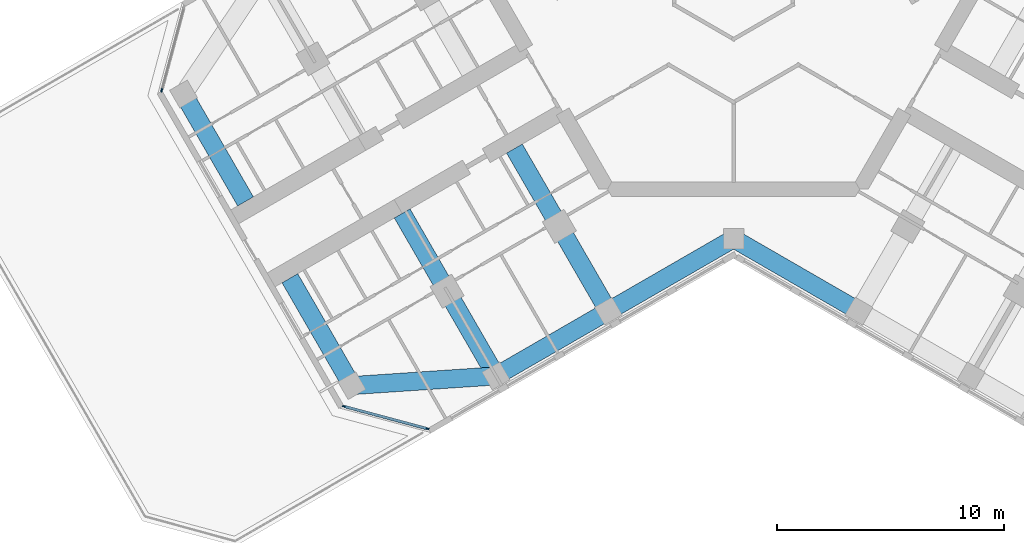
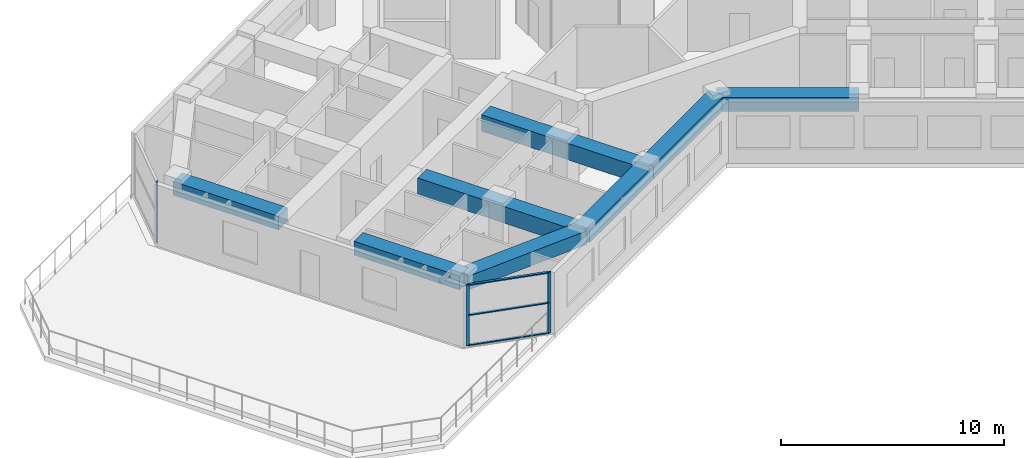
# One storey, part 2 of 17: 8 beams, 6 members, 2 elements without a shape of their own.
"""IFC4 building model written with IfcOpenShell, lengths in metres."""

from ifc_helpers import new_model, si_unit, direction, frame, origin, origin_2d, place, context, subcontext, project, spatial, rectangle, extrude, material, material_profile, profile_set, type_object, element, aggregate, save


model = new_model("IFC4")

# Units and contexts
model_context = context("Model", 3, precision=1e-05, world=origin(), true_north=direction((0.0, 1.0)))
body_context = subcontext(model_context, "Body", "Model", "MODEL_VIEW")
ifc_project = project(units=[si_unit("LENGTHUNIT", "METRE"), si_unit("AREAUNIT", "SQUARE_METRE"), si_unit("VOLUMEUNIT", "CUBIC_METRE"), si_unit("PLANEANGLEUNIT", "RADIAN"), si_unit("MASSUNIT", "GRAM", prefix="KILO")], contexts=[model_context])

# Site, building, storey
site_placement = place(None, origin())
site = spatial("IfcSite", under=ifc_project, at=site_placement, CompositionType="ELEMENT")
building_placement = place(site_placement, origin())
building = spatial("IfcBuilding", under=site, at=building_placement, Name="Kosmar Iwan School Tower", CompositionType="ELEMENT")
storey_placement = place(building_placement, frame((0.0, 0.0, 193.800048828125)))
storey = spatial("IfcBuildingStorey", under=building, at=storey_placement, Name="L48", CompositionType="ELEMENT", Elevation=193.800048828125)

# Curtain wall, member
ifc_material_1 = material(Name="Dark glass in black aluminium frame", Category="aluminium")
curtain_wall_type = type_object("IfcCurtainWallType", Name="Chamfer curtain wall dark glass", PredefinedType="USERDEFINED", material=ifc_material_1)
curtain_wall_1_placement = place(storey_placement, origin())
curtain_wall_1 = element("IfcCurtainWall", 1, at=curtain_wall_1_placement, inside=storey, type_object=curtain_wall_type, Name="Curtain wall L48-F10", ObjectType="FACETED CURTAIN WALL", PredefinedType="USERDEFINED")
ifc_material_2 = material(Name="Black anodised aluminium", Category="aluminium")
ifc_material_profile_1 = material_profile(ifc_material_2, rectangle(XDim=0.06005859375, YDim=0.159912109375, at=origin_2d()), Name="MULLION 60x160")
ifc_profile_set_1 = profile_set([ifc_material_profile_1], Name="Black anodised aluminium")
member_type_1 = type_object("IfcMemberType", Name="Mullion 60x160", PredefinedType="MULLION", material=ifc_profile_set_1)
member_1_placement = place(storey_placement, frame((-25.141845703125, -5.24853515625, 0.0), z_axis=(0.0, 0.0, 1.0), x_axis=(0.965925875495, -0.258818861462, 0.0)))
member_1 = element("IfcMember", 2, at=member_1_placement, type_object=member_type_1, Name="CW2 mullion 2", PredefinedType="MULLION", context=body_context, shape_type="SweptSolid", body=[
    extrude(rectangle(XDim=0.06005859375, YDim=0.159912109375, at=origin_2d()), origin(), (0.0, 0.0, 1.0), 3.349853515625),
])
aggregate(curtain_wall_1, [member_1])

# Curtain wall, members
curtain_wall_2_placement = place(storey_placement, origin())
curtain_wall_2 = element("IfcCurtainWall", 3, at=curtain_wall_2_placement, inside=storey, type_object=curtain_wall_type, Name="Curtain wall L48-F12", ObjectType="FACETED CURTAIN WALL", PredefinedType="USERDEFINED")
member_2_placement = place(storey_placement, frame((-17.1162109375, -19.149169921875, 0.0), z_axis=(0.0, 0.0, 1.0), x_axis=(0.258818861462, 0.965925875495, 0.0)))
member_2 = element("IfcMember", 4, at=member_2_placement, type_object=member_type_1, Name="CW2 mullion 1", PredefinedType="MULLION", context=body_context, shape_type="SweptSolid", body=[
    extrude(rectangle(XDim=0.06005859375, YDim=0.159912109375, at=origin_2d()), origin(), (0.0, 0.0, 1.0), 3.349853515625),
])
member_3_placement = place(storey_placement, frame((-13.466064453125, -20.127197265625, 0.0), z_axis=(0.0, 0.0, 1.0), x_axis=(0.258818861462, 0.965925875495, 0.0)))
member_3 = element("IfcMember", 5, at=member_3_placement, type_object=member_type_1, Name="CW2 mullion 2", PredefinedType="MULLION", context=body_context, shape_type="SweptSolid", body=[
    extrude(rectangle(XDim=0.06005859375, YDim=0.159912109375, at=origin_2d()), origin(), (0.0, 0.0, 1.0), 3.349853515625),
])

# Beams
ifc_material_3 = material(Name="Concrete C50/60", Category="concrete")
ifc_material_profile_2 = material_profile(ifc_material_3, rectangle(XDim=0.800048828125, YDim=0.75, at=origin_2d()), Name="RC 800x750")
ifc_profile_set_2 = profile_set([ifc_material_profile_2], Name="Concrete C50/60")
beam_type_1 = type_object("IfcBeamType", Name="RC edge beam 800x750", PredefinedType="BEAM", material=ifc_profile_set_2)
beam_1_placement = place(storey_placement, frame((0.0, -11.77783203125, 2.974853515625), z_axis=(-0.866014293216, -0.500019243575, 0.0), x_axis=(0.500019243575, -0.866014293216, 0.0)))
element("IfcBeam", 6, at=beam_1_placement, inside=storey, type_object=beam_type_1, Name="Edge beam BL1", PredefinedType="BEAM", context=body_context, shape_type="SweptSolid", body=[
    extrude(rectangle(XDim=0.800048828125, YDim=0.75, at=origin_2d()), origin(), (0.0, 0.0, 1.0), 6.361083984375),
])
beam_2_placement = place(storey_placement, frame((-5.5087890625, -14.95849609375, 2.974853515625), z_axis=(-0.866033658841, -0.49998570155, 0.0), x_axis=(0.49998570155, -0.866033658841, 0.0)))
element("IfcBeam", 7, at=beam_2_placement, inside=storey, type_object=beam_type_1, Name="Edge beam BL2", PredefinedType="BEAM", context=body_context, shape_type="SweptSolid", body=[
    extrude(rectangle(XDim=0.800048828125, YDim=0.75, at=origin_2d()), origin(), (0.0, 0.0, 1.0), 5.699951171875),
])
beam_3_placement = place(storey_placement, frame((0.0, -11.77783203125, 2.974853515625), z_axis=(0.866014293216, -0.500019243575, 0.0), x_axis=(0.500019243575, 0.866014293216, 0.0)))
element("IfcBeam", 8, at=beam_3_placement, inside=storey, type_object=beam_type_1, Name="Edge beam CR1", PredefinedType="BEAM", context=body_context, shape_type="SweptSolid", body=[
    extrude(rectangle(XDim=0.800048828125, YDim=0.75, at=origin_2d()), origin(), (0.0, 0.0, 1.0), 6.361083984375),
])
ifc_material_4 = material(Name="Concrete C50/60", Category="concrete")
ifc_material_profile_3 = material_profile(ifc_material_4, rectangle(XDim=0.800048828125, YDim=0.75, at=origin_2d()), Name="RC 800x750")
ifc_profile_set_3 = profile_set([ifc_material_profile_3], Name="Concrete C50/60")
beam_type_2 = type_object("IfcBeamType", Name="RC tip beam 800x750", PredefinedType="BEAM", material=ifc_profile_set_3)
beam_4_placement = place(storey_placement, frame((-10.445068359375, -17.808349609375, 2.974853515625), z_axis=(-0.997755118724, -0.066968074933, 0.0), x_axis=(0.066968074933, -0.997755118724, 0.0)))
element("IfcBeam", 9, at=beam_4_placement, inside=storey, type_object=beam_type_2, Name="Tip beam BL", PredefinedType="BEAM", context=body_context, shape_type="SweptSolid", body=[
    extrude(rectangle(XDim=0.800048828125, YDim=0.75, at=origin_2d()), origin(), (0.0, 0.0, 1.0), 6.3505859375),
])
beam_5_placement = place(storey_placement, frame((-16.781494140625, -18.233642578125, 2.974853515625), z_axis=(-0.500002931134, 0.866023711487, 0.0), x_axis=(-0.866023711487, -0.500002931134, 0.0)))
element("IfcBeam", 10, at=beam_5_placement, inside=storey, type_object=beam_type_2, Name="Tip beam BL to corridor wall", PredefinedType="BEAM", context=body_context, shape_type="SweptSolid", body=[
    extrude(rectangle(XDim=0.800048828125, YDim=0.75, at=origin_2d()), origin(), (0.0, 0.0, 1.0), 5.4501953125),
])
beam_6_placement = place(storey_placement, frame((-24.181396484375, -5.41650390625, 2.974853515625), z_axis=(0.499988730927, -0.866031909889, 0.0), x_axis=(0.866031909889, 0.499988730927, 0.0)))
element("IfcBeam", 11, at=beam_6_placement, inside=storey, type_object=beam_type_2, Name="Tip beam BR to corridor wall", PredefinedType="BEAM", context=body_context, shape_type="SweptSolid", body=[
    extrude(rectangle(XDim=0.800048828125, YDim=0.75, at=origin_2d()), origin(), (0.0, 0.0, 1.0), 5.449951171875),
])
ifc_material_5 = material(Name="Concrete C50/60", Category="concrete")
ifc_material_profile_4 = material_profile(ifc_material_5, rectangle(XDim=0.800048828125, YDim=0.89990234375, at=origin_2d()), Name="RC 800x900")
ifc_profile_set_4 = profile_set([ifc_material_profile_4], Name="Concrete C50/60")
beam_type_3 = type_object("IfcBeamType", Name="RC transverse beam 800x900", PredefinedType="BEAM", material=ifc_profile_set_4)
beam_7_placement = place(storey_placement, frame((-5.5087890625, -14.95849609375, 2.89990234375), z_axis=(-0.499996545922, 0.866027397988, 0.0), x_axis=(-0.866027397988, -0.499996545922, 0.0)))
element("IfcBeam", 12, at=beam_7_placement, inside=storey, type_object=beam_type_3, Name="Transverse beam BL1", PredefinedType="BEAM", context=body_context, shape_type="SweptSolid", body=[
    extrude(rectangle(XDim=0.800048828125, YDim=0.89990234375, at=origin_2d()), origin(), (0.0, 0.0, 1.0), 8.25),
])
beam_8_placement = place(storey_placement, frame((-10.445068359375, -17.808349609375, 2.89990234375), z_axis=(-0.500009360108, 0.866019999656, 0.0), x_axis=(-0.866019999656, -0.500009360108, 0.0)))
element("IfcBeam", 13, at=beam_8_placement, inside=storey, type_object=beam_type_3, Name="Transverse beam BL2", PredefinedType="BEAM", context=body_context, shape_type="SweptSolid", body=[
    extrude(rectangle(XDim=0.800048828125, YDim=0.89990234375, at=origin_2d()), origin(), (0.0, 0.0, 1.0), 8.249755859375),
])

# Member
ifc_material_6 = material(Name="Black anodised aluminium", Category="aluminium")
ifc_material_profile_5 = material_profile(ifc_material_6, rectangle(XDim=0.1201171875, YDim=0.06005859375, at=origin_2d()), Name="TRANSOM 60x120")
ifc_profile_set_5 = profile_set([ifc_material_profile_5], Name="Black anodised aluminium")
member_type_2 = type_object("IfcMemberType", Name="Transom 60x120", PredefinedType="USERDEFINED", material=ifc_profile_set_5)
member_4_placement = place(storey_placement, frame((-17.08740234375, -19.156982421875, 0.030029296875), z_axis=(0.965940141052, -0.258765615768, 0.0), x_axis=(0.258765615768, 0.965940141052, 0.0)))
member_4 = element("IfcMember", 14, at=member_4_placement, type_object=member_type_2, Name="CW2 transom 1.1", ObjectType="TRANSOM", PredefinedType="USERDEFINED", context=body_context, shape_type="SweptSolid", body=[
    extrude(rectangle(XDim=0.1201171875, YDim=0.06005859375, at=origin_2d()), origin(), (0.0, 0.0, 1.0), 3.71923828125),
])

member_5_placement = place(storey_placement, frame((-17.08740234375, -19.156982421875, 1.675048828125), z_axis=(0.965940141052, -0.258765615768, 0.0), x_axis=(0.258765615768, 0.965940141052, 0.0)))
member_5 = element("IfcMember", 15, at=member_5_placement, type_object=member_type_2, Name="CW2 transom 1.2", ObjectType="TRANSOM", PredefinedType="USERDEFINED", context=body_context, shape_type="SweptSolid", body=[
    extrude(rectangle(XDim=0.1201171875, YDim=0.06005859375, at=origin_2d()), origin(), (0.0, 0.0, 1.0), 3.71923828125),
])

member_6_placement = place(storey_placement, frame((-17.08740234375, -19.156982421875, 3.320068359375), z_axis=(0.965940141052, -0.258765615768, 0.0), x_axis=(0.258765615768, 0.965940141052, 0.0)))
member_6 = element("IfcMember", 16, at=member_6_placement, type_object=member_type_2, Name="CW2 transom 1.3", ObjectType="TRANSOM", PredefinedType="USERDEFINED", context=body_context, shape_type="SweptSolid", body=[
    extrude(rectangle(XDim=0.1201171875, YDim=0.06005859375, at=origin_2d()), origin(), (0.0, 0.0, 1.0), 3.71923828125),
])

aggregate(curtain_wall_2, [member_2, member_3, member_4, member_5, member_6])

save(model, "model.ifc")
